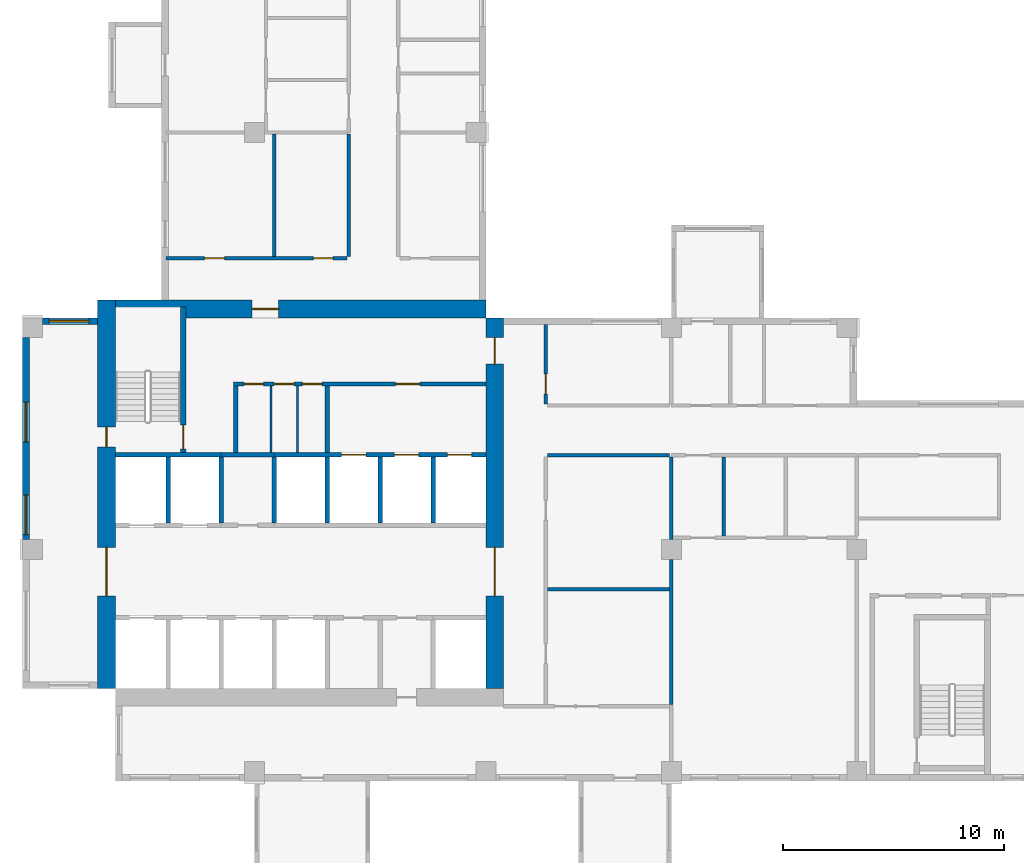
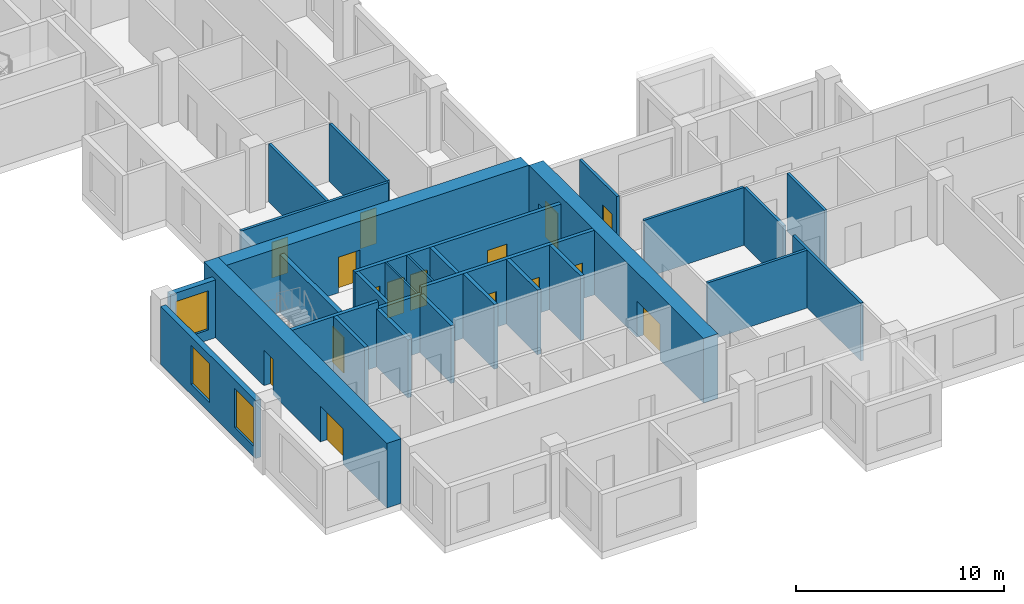
# One storey, part 3 of 12: 29 walls, 16 doors, 3 windows, 19 openings.
"""IFC4 building model written with IfcOpenShell, lengths in metres."""

from ifc_helpers import new_model, si_unit, direction, frame, frame_2d, origin, place, context, subcontext, project, spatial, rectangle, extrude, source, transform, mapped, material, layer, layer_set, type_object, element, fill, save


model = new_model("IFC4")

# Units and contexts
model_context = context("Model", 3, precision=1e-05, world=origin(), true_north=direction((0.0, 1.0)))
body_context = subcontext(model_context, "Body", "Model", "MODEL_VIEW")
ifc_project = project(units=[si_unit("LENGTHUNIT", "METRE"), si_unit("AREAUNIT", "SQUARE_METRE"), si_unit("VOLUMEUNIT", "CUBIC_METRE"), si_unit("PLANEANGLEUNIT", "RADIAN"), si_unit("MASSUNIT", "GRAM", prefix="KILO")], contexts=[model_context])

# Site, building, storey
site_placement = place(None, origin())
site = spatial("IfcSite", under=ifc_project, at=site_placement, CompositionType="ELEMENT")
building_placement = place(site_placement, origin())
building = spatial("IfcBuilding", under=site, at=building_placement, Name="Aurelian Terraces", CompositionType="ELEMENT")
storey_placement = place(building_placement, frame((0.0, 0.0, 196.8)))
storey = spatial("IfcBuildingStorey", under=building, at=storey_placement, Name="L43", CompositionType="ELEMENT", Elevation=196.8)

# Wall, openings, doors
ifc_material_1 = material(Name="Gypsum board on steel studs", Category="steel")
ifc_layer_1 = layer(ifc_material_1, 0.15)
ifc_layer_set_1 = layer_set([ifc_layer_1], Name="Partition 150")
wall_type_1 = type_object("IfcWallType", Name="Partition 150", PredefinedType="PARTITIONING", material=ifc_layer_set_1)
wall_1_placement = place(storey_placement, frame((6.505, 23.7, 0.0), z_axis=(0.0, 0.0, 1.0), x_axis=(1.0, 0.0, 0.0)))
wall_1 = element("IfcWall", 1, at=wall_1_placement, inside=storey, type_object=wall_type_1, Name="Partition", PredefinedType="PARTITIONING", context=body_context, shape_type="SweptSolid", body=[
    extrude(rectangle(XDim=8.195, YDim=0.15, at=frame_2d((4.0975, 0.0))), origin(), (0.0, 0.0, 1.0), 3.4),
])
shared_shape_1 = source(origin(), body_context, "Body", "SweptSolid", [
    extrude(rectangle(XDim=0.9, YDim=2.1, at=frame_2d((0.45, 1.05))), frame((0.0, 0.085, 0.0), z_axis=(0.0, -1.0, 0.0), x_axis=(1.0, 0.0, 0.0)), (0.0, 0.0, 1.0), 0.17),
])
opening_1_placement = place(wall_1_placement, frame((1.745, 0.0, 0.0)))
opening_1 = element("IfcOpeningElement", 2, at=opening_1_placement, cuts=wall_1, Name="Opening 743019", PredefinedType="OPENING", context=body_context, shape_type="MappedRepresentation", body=[
    mapped(shared_shape_1, transform((0.0, 0.0, 0.0), scale=1.0)),
])
opening_2_placement = place(wall_1_placement, frame((6.67, 0.0, 0.0)))
opening_2 = element("IfcOpeningElement", 3, at=opening_2_placement, cuts=wall_1, Name="Opening 743020", PredefinedType="OPENING", context=body_context, shape_type="MappedRepresentation", body=[
    mapped(shared_shape_1, transform((0.0, 0.0, 0.0), scale=1.0)),
])
ifc_material_2 = material(Name="Timber door leaf", Category="wood")
door_type_1 = type_object("IfcDoorType", Name="Room door 900x2100 right", OperationType="SINGLE_SWING_RIGHT", PredefinedType="DOOR", material=ifc_material_2)
shared_shape_2 = source(origin(), body_context, "Body", "SweptSolid", [
    extrude(rectangle(XDim=0.9, YDim=2.1, at=frame_2d((0.45, 1.05))), frame((0.0, 0.025, 0.0), z_axis=(0.0, -1.0, 0.0), x_axis=(1.0, 0.0, 0.0)), (0.0, 0.0, 1.0), 0.05),
])
door_1_placement = place(opening_1_placement, origin())
door_1 = element("IfcDoor", 4, at=door_1_placement, inside=storey, type_object=door_type_1, Name="Door 743019", OperationType="SINGLE_SWING_RIGHT", OverallHeight=2.1, OverallWidth=0.9, PredefinedType="DOOR", context=body_context, shape_type="MappedRepresentation", body=[
    mapped(shared_shape_2, transform((0.0, 0.0, 0.0), scale=1.0)),
])
fill(opening_1, door_1)
door_type_2 = type_object("IfcDoorType", Name="Room door 900x2100 left", OperationType="SINGLE_SWING_LEFT", PredefinedType="DOOR", material=ifc_material_2)
door_2_placement = place(opening_2_placement, origin())
door_2 = element("IfcDoor", 5, at=door_2_placement, inside=storey, type_object=door_type_2, Name="Door 743020", OperationType="SINGLE_SWING_LEFT", OverallHeight=2.1, OverallWidth=0.9, PredefinedType="DOOR", context=body_context, shape_type="MappedRepresentation", body=[
    mapped(shared_shape_2, transform((0.0, 0.0, 0.0), scale=1.0)),
])
fill(opening_2, door_2)

ifc_material_3 = material(Name="Concrete fc' 70 MPa", Category="concrete")
ifc_layer_2 = layer(ifc_material_3, 0.8)
ifc_layer_set_2 = layer_set([ifc_layer_2], Name="CORE WALL 800 FC70")
wall_type_2 = type_object("IfcWallType", Name="CORE WALL 800 FC70", PredefinedType="SHEAR", material=ifc_layer_set_2)
shared_shape_3 = source(origin(), body_context, "Body", "SweptSolid", [
    extrude(rectangle(XDim=17.6, YDim=0.8, at=frame_2d((8.8, 0.0))), origin(), (0.0, 0.0, 1.0), 3.8),
])
wall_2_placement = place(storey_placement, frame((3.8, 4.2, 0.0), z_axis=(0.0, 0.0, 1.0), x_axis=(0.0, 1.0, 0.0)))
wall_2 = element("IfcWall", 6, at=wall_2_placement, inside=storey, type_object=wall_type_2, Name="Core wall W L43", PredefinedType="SHEAR", context=body_context, shape_type="MappedRepresentation", body=[
    mapped(shared_shape_3, transform((0.0, 0.0, 0.0), scale=1.0)),
])
shared_shape_4 = source(origin(), body_context, "Body", "SweptSolid", [
    extrude(rectangle(XDim=2.2, YDim=2.1, at=frame_2d((1.1, 1.05))), frame((0.0, 0.41, 0.0), z_axis=(0.0, -1.0, 0.0), x_axis=(1.0, 0.0, 0.0)), (0.0, 0.0, 1.0), 0.82),
])
opening_3_placement = place(wall_2_placement, frame((4.2, 0.0, 0.0)))
opening_3 = element("IfcOpeningElement", 7, at=opening_3_placement, cuts=wall_2, Name="Opening 64624", PredefinedType="OPENING", context=body_context, shape_type="MappedRepresentation", body=[
    mapped(shared_shape_4, transform((0.0, 0.0, 0.0), scale=1.0)),
])
shared_shape_5 = source(origin(), body_context, "Body", "SweptSolid", [
    extrude(rectangle(XDim=0.9, YDim=2.1, at=frame_2d((0.45, 1.05))), frame((0.0, 0.41, 0.0), z_axis=(0.0, -1.0, 0.0), x_axis=(1.0, 0.0, 0.0)), (0.0, 0.0, 1.0), 0.82),
])
opening_4_placement = place(wall_2_placement, frame((10.95, 0.0, 0.0)))
opening_4 = element("IfcOpeningElement", 8, at=opening_4_placement, cuts=wall_2, Name="Opening 64628", PredefinedType="OPENING", context=body_context, shape_type="MappedRepresentation", body=[
    mapped(shared_shape_5, transform((0.0, 0.0, 0.0), scale=1.0)),
])
ifc_material_4 = material(Name="Steel door leaf", Category="steel")
door_type_3 = type_object("IfcDoorType", Name="Core service door 900x2100 right", OperationType="SINGLE_SWING_RIGHT", PredefinedType="DOOR", material=ifc_material_4)
door_3_placement = place(opening_4_placement, origin())
door_3 = element("IfcDoor", 9, at=door_3_placement, inside=storey, type_object=door_type_3, Name="Core door 64628", OperationType="SINGLE_SWING_RIGHT", OverallHeight=2.1, OverallWidth=0.9, PredefinedType="DOOR", context=body_context, shape_type="MappedRepresentation", body=[
    mapped(shared_shape_2, transform((0.0, 0.0, 0.0), scale=1.0)),
])
fill(opening_4, door_3)
door_type_4 = type_object("IfcDoorType", Name="Core double door 2200x2100", OperationType="DOUBLE_DOOR_SINGLE_SWING", PredefinedType="DOOR", material=ifc_material_4)
shared_shape_6 = source(origin(), body_context, "Body", "SweptSolid", [
    extrude(rectangle(XDim=2.2, YDim=2.1, at=frame_2d((1.1, 1.05))), frame((0.0, 0.025, 0.0), z_axis=(0.0, -1.0, 0.0), x_axis=(1.0, 0.0, 0.0)), (0.0, 0.0, 1.0), 0.05),
])
door_4_placement = place(opening_3_placement, origin())
door_4 = element("IfcDoor", 10, at=door_4_placement, inside=storey, type_object=door_type_4, Name="Core door 64624", OperationType="DOUBLE_DOOR_SINGLE_SWING", OverallHeight=2.1, OverallWidth=2.2, PredefinedType="DOOR", context=body_context, shape_type="MappedRepresentation", body=[
    mapped(shared_shape_6, transform((0.0, 0.0, 0.0), scale=1.0)),
])
fill(opening_3, door_4)

shared_shape_7 = source(origin(), body_context, "Body", "SweptSolid", [
    extrude(rectangle(XDim=16.8, YDim=0.8, at=frame_2d((8.4, 0.0))), origin(), (0.0, 0.0, 1.0), 3.8),
])
wall_3_placement = place(storey_placement, frame((21.4, 4.2, 0.0), z_axis=(0.0, 0.0, 1.0), x_axis=(0.0, 1.0, 0.0)))
wall_3 = element("IfcWall", 11, at=wall_3_placement, inside=storey, type_object=wall_type_2, Name="Core wall E L43", PredefinedType="SHEAR", context=body_context, shape_type="MappedRepresentation", body=[
    mapped(shared_shape_7, transform((0.0, 0.0, 0.0), scale=1.0)),
])
opening_5_placement = place(wall_3_placement, frame((4.2, 0.0, 0.0)))
opening_5 = element("IfcOpeningElement", 12, at=opening_5_placement, cuts=wall_3, Name="Opening 64623", PredefinedType="OPENING", context=body_context, shape_type="MappedRepresentation", body=[
    mapped(shared_shape_4, transform((0.0, 0.0, 0.0), scale=1.0)),
])
shared_shape_8 = source(origin(), body_context, "Body", "SweptSolid", [
    extrude(rectangle(XDim=1.2, YDim=2.1, at=frame_2d((0.6, 1.05))), frame((0.0, 0.41, 0.0), z_axis=(0.0, -1.0, 0.0), x_axis=(1.0, 0.0, 0.0)), (0.0, 0.0, 1.0), 0.82),
])
opening_6_placement = place(wall_3_placement, frame((14.7, 0.0, 0.0)))
opening_6 = element("IfcOpeningElement", 13, at=opening_6_placement, cuts=wall_3, Name="Opening 64626", PredefinedType="OPENING", context=body_context, shape_type="MappedRepresentation", body=[
    mapped(shared_shape_8, transform((0.0, 0.0, 0.0), scale=1.0)),
])
door_type_5 = type_object("IfcDoorType", Name="Core fire door 1200x2100 right", OperationType="SINGLE_SWING_RIGHT", PredefinedType="DOOR", material=ifc_material_4)
shared_shape_9 = source(origin(), body_context, "Body", "SweptSolid", [
    extrude(rectangle(XDim=1.2, YDim=2.1, at=frame_2d((0.6, 1.05))), frame((0.0, 0.025, 0.0), z_axis=(0.0, -1.0, 0.0), x_axis=(1.0, 0.0, 0.0)), (0.0, 0.0, 1.0), 0.05),
])
door_5_placement = place(opening_6_placement, origin())
door_5 = element("IfcDoor", 14, at=door_5_placement, inside=storey, type_object=door_type_5, Name="Core door 64626", OperationType="SINGLE_SWING_RIGHT", OverallHeight=2.1, OverallWidth=1.2, PredefinedType="DOOR", context=body_context, shape_type="MappedRepresentation", body=[
    mapped(shared_shape_9, transform((0.0, 0.0, 0.0), scale=1.0)),
])
fill(opening_6, door_5)
door_6_placement = place(opening_5_placement, origin())
door_6 = element("IfcDoor", 15, at=door_6_placement, inside=storey, type_object=door_type_4, Name="Core door 64623", OperationType="DOUBLE_DOOR_SINGLE_SWING", OverallHeight=2.1, OverallWidth=2.2, PredefinedType="DOOR", context=body_context, shape_type="MappedRepresentation", body=[
    mapped(shared_shape_6, transform((0.0, 0.0, 0.0), scale=1.0)),
])
fill(opening_5, door_6)

# Wall, opening, door
wall_4_placement = place(storey_placement, frame((4.2, 21.4, 0.0), z_axis=(0.0, 0.0, 1.0), x_axis=(1.0, 0.0, 0.0)))
wall_4 = element("IfcWall", 16, at=wall_4_placement, inside=storey, type_object=wall_type_2, Name="Core wall N L43", PredefinedType="SHEAR", context=body_context, shape_type="MappedRepresentation", body=[
    mapped(shared_shape_7, transform((0.0, 0.0, 0.0), scale=1.0)),
])
opening_7_placement = place(wall_4_placement, frame((6.2, 0.0, 0.0)))
opening_7 = element("IfcOpeningElement", 17, at=opening_7_placement, cuts=wall_4, Name="Opening 64625", PredefinedType="OPENING", context=body_context, shape_type="MappedRepresentation", body=[
    mapped(shared_shape_8, transform((0.0, 0.0, 0.0), scale=1.0)),
])
door_type_6 = type_object("IfcDoorType", Name="Core fire door 1200x2100", OperationType="SINGLE_SWING_LEFT", PredefinedType="DOOR", material=ifc_material_4)
door_7_placement = place(opening_7_placement, origin())
door_7 = element("IfcDoor", 18, at=door_7_placement, inside=storey, type_object=door_type_6, Name="Core door 64625", OperationType="SINGLE_SWING_LEFT", OverallHeight=2.1, OverallWidth=1.2, PredefinedType="DOOR", context=body_context, shape_type="MappedRepresentation", body=[
    mapped(shared_shape_9, transform((0.0, 0.0, 0.0), scale=1.0)),
])
fill(opening_7, door_7)

# Wall, opening, window
ifc_material_5 = material(Name="Terracotta rainscreen cladding", Category="masonry")
ifc_layer_3 = layer(ifc_material_5, 0.3)
ifc_layer_set_3 = layer_set([ifc_layer_3], Name="EW-300")
wall_type_3 = type_object("IfcWallType", Name="EW-300", PredefinedType="STANDARD", material=ifc_layer_set_3)
shared_shape_10 = source(origin(), body_context, "Body", "SweptSolid", [
    extrude(rectangle(XDim=2.5, YDim=0.3, at=frame_2d((1.25, 0.0))), origin(), (0.0, 0.0, 1.0), 3.4),
])
wall_5_placement = place(storey_placement, frame((3.4, 20.85, 0.0), z_axis=(0.0, 0.0, 1.0), x_axis=(-1.0, 0.0, 0.0)))
wall_5 = element("IfcWall", 19, at=wall_5_placement, inside=storey, type_object=wall_type_3, Name="External wall L43 F19.33", PredefinedType="STANDARD", context=body_context, shape_type="MappedRepresentation", body=[
    mapped(shared_shape_10, transform((0.0, 0.0, 0.0), scale=1.0)),
])
shared_shape_11 = source(origin(), body_context, "Body", "SweptSolid", [
    extrude(rectangle(XDim=1.8, YDim=2.3, at=frame_2d((0.9, 1.15))), frame((0.0, 0.16, 0.0), z_axis=(0.0, -1.0, 0.0), x_axis=(1.0, 0.0, 0.0)), (0.0, 0.0, 1.0), 0.32),
])
opening_8_placement = place(wall_5_placement, frame((0.4, 0.0, 0.6)))
opening_8 = element("IfcOpeningElement", 20, at=opening_8_placement, cuts=wall_5, Name="Opening W1823", PredefinedType="OPENING", context=body_context, shape_type="MappedRepresentation", body=[
    mapped(shared_shape_11, transform((0.0, 0.0, 0.0), scale=1.0)),
])
ifc_material_6 = material(Name="Clear glazing", Category="glass")
window_type = type_object("IfcWindowType", Name="W-1800x2300", PartitioningType="SINGLE_PANEL", PredefinedType="WINDOW", material=ifc_material_6)
shared_shape_12 = source(origin(), body_context, "Body", "SweptSolid", [
    extrude(rectangle(XDim=1.8, YDim=2.3, at=frame_2d((0.9, 1.15))), frame((0.0, 0.03, 0.0), z_axis=(0.0, -1.0, 0.0), x_axis=(1.0, 0.0, 0.0)), (0.0, 0.0, 1.0), 0.06),
])
window_1_placement = place(opening_8_placement, origin())
window_1 = element("IfcWindow", 21, at=window_1_placement, inside=storey, type_object=window_type, Name="Window L43 L43-F19-33-0", OverallHeight=2.3, OverallWidth=1.8, PartitioningType="SINGLE_PANEL", PredefinedType="WINDOW", context=body_context, shape_type="MappedRepresentation", body=[
    mapped(shared_shape_12, transform((0.0, 0.0, 0.0), scale=1.0)),
])
fill(opening_8, window_1)

# Wall, openings, windows
shared_shape_13 = source(origin(), body_context, "Body", "SweptSolid", [
    extrude(rectangle(XDim=9.15, YDim=0.3, at=frame_2d((4.575, 0.0))), origin(), (0.0, 0.0, 1.0), 3.4),
])
wall_6_placement = place(storey_placement, frame((0.15, 20.1, 0.0), z_axis=(0.0, 0.0, 1.0), x_axis=(0.0, -1.0, 0.0)))
wall_6 = element("IfcWall", 22, at=wall_6_placement, inside=storey, type_object=wall_type_3, Name="External wall L43 F20.34", PredefinedType="STANDARD", context=body_context, shape_type="MappedRepresentation", body=[
    mapped(shared_shape_13, transform((0.0, 0.0, 0.0), scale=1.0)),
])
opening_9_placement = place(wall_6_placement, frame((2.925, 0.0, 0.6)))
opening_9 = element("IfcOpeningElement", 23, at=opening_9_placement, cuts=wall_6, Name="Opening W1823", PredefinedType="OPENING", context=body_context, shape_type="MappedRepresentation", body=[
    mapped(shared_shape_11, transform((0.0, 0.0, 0.0), scale=1.0)),
])
opening_10_placement = place(wall_6_placement, frame((7.125, 0.0, 0.6)))
opening_10 = element("IfcOpeningElement", 24, at=opening_10_placement, cuts=wall_6, Name="Opening W1823", PredefinedType="OPENING", context=body_context, shape_type="MappedRepresentation", body=[
    mapped(shared_shape_11, transform((0.0, 0.0, 0.0), scale=1.0)),
])
window_2_placement = place(opening_9_placement, origin())
window_2 = element("IfcWindow", 25, at=window_2_placement, inside=storey, type_object=window_type, Name="Window L43 L43-F20-34-1", OverallHeight=2.3, OverallWidth=1.8, PartitioningType="SINGLE_PANEL", PredefinedType="WINDOW", context=body_context, shape_type="MappedRepresentation", body=[
    mapped(shared_shape_12, transform((0.0, 0.0, 0.0), scale=1.0)),
])
fill(opening_9, window_2)
window_3_placement = place(opening_10_placement, origin())
window_3 = element("IfcWindow", 26, at=window_3_placement, inside=storey, type_object=window_type, Name="Window L43 L43-F20-34-2", OverallHeight=2.3, OverallWidth=1.8, PartitioningType="SINGLE_PANEL", PredefinedType="WINDOW", context=body_context, shape_type="MappedRepresentation", body=[
    mapped(shared_shape_12, transform((0.0, 0.0, 0.0), scale=1.0)),
])
fill(opening_10, window_3)

# Walls
ifc_material_7 = material(Name="Concrete fc' 40 MPa", Category="concrete")
ifc_layer_4 = layer(ifc_material_7, 0.2)
ifc_layer_set_4 = layer_set([ifc_layer_4], Name="Lift shaft wall 200")
wall_type_4 = type_object("IfcWallType", Name="Lift shaft wall 200", PredefinedType="SOLIDWALL", material=ifc_layer_set_4)
shared_shape_14 = source(origin(), body_context, "Body", "SweptSolid", [
    extrude(rectangle(XDim=3.0, YDim=0.2, at=frame_2d((1.5, 0.0))), origin(), (0.0, 0.0, 1.0), 3.4),
])
for number, where, z_axis, x_axis, name in (
    (27, (9.0, 11.7, 0.0), (0.0, 0.0, 1.0), (0.0, 1.0, 0.0), "L43 core wall CD-B2"),
    (28, (11.4, 11.7, 0.0), (0.0, 0.0, 1.0), (0.0, 1.0, 0.0), "L43 core wall CD-B3"),
):
    element("IfcWall", number, at=place(storey_placement, frame(where, z_axis=z_axis, x_axis=x_axis)), inside=storey, type_object=wall_type_4, Name=name, PredefinedType="SOLIDWALL", context=body_context, shape_type="MappedRepresentation", body=[
        mapped(shared_shape_14, transform((0.0, 0.0, 0.0), scale=1.0)),
    ])
shared_shape_15 = source(origin(), body_context, "Body", "SweptSolid", [
    extrude(rectangle(XDim=3.0, YDim=0.2, at=frame_2d((1.5, 0.0))), origin(), (0.0, 0.0, 1.0), 3.8),
])
for number, where, z_axis, x_axis, name in (
    (29, (6.6, 11.7, 0.0), (0.0, 0.0, 1.0), (0.0, 1.0, 0.0), "L43 core wall CD-B1"),
    (30, (13.8, 11.7, 0.0), (0.0, 0.0, 1.0), (0.0, 1.0, 0.0), "L43 core wall CD-B4"),
    (31, (16.2, 11.7, 0.0), (0.0, 0.0, 1.0), (0.0, 1.0, 0.0), "L43 core wall CD-B5"),
    (32, (18.6, 11.7, 0.0), (0.0, 0.0, 1.0), (0.0, 1.0, 0.0), "L43 core wall CD-B6"),
):
    element("IfcWall", number, at=place(storey_placement, frame(where, z_axis=z_axis, x_axis=x_axis)), inside=storey, type_object=wall_type_4, Name=name, PredefinedType="SOLIDWALL", context=body_context, shape_type="MappedRepresentation", body=[
        mapped(shared_shape_15, transform((0.0, 0.0, 0.0), scale=1.0)),
    ])

# Wall, openings, doors
shared_shape_16 = source(origin(), body_context, "Body", "SweptSolid", [
    extrude(rectangle(XDim=9.6, YDim=0.2, at=frame_2d((4.8, 0.0))), origin(), (0.0, 0.0, 1.0), 3.8),
])
wall_7_placement = place(storey_placement, frame((11.4, 14.8, 0.0), z_axis=(0.0, 0.0, 1.0), x_axis=(1.0, 0.0, 0.0)))
wall_7 = element("IfcWall", 33, at=wall_7_placement, inside=storey, type_object=wall_type_4, Name="L43 core wall CF-BB3", PredefinedType="SOLIDWALL", context=body_context, shape_type="MappedRepresentation", body=[
    mapped(shared_shape_16, transform((0.0, 0.0, 0.0), scale=1.0)),
])
shared_shape_17 = source(origin(), body_context, "Body", "SweptSolid", [
    extrude(rectangle(XDim=1.1, YDim=2.1, at=frame_2d((0.55, 1.05))), frame((0.0, 0.11, 0.0), z_axis=(0.0, -1.0, 0.0), x_axis=(1.0, 0.0, 0.0)), (0.0, 0.0, 1.0), 0.22),
])
opening_11_placement = place(wall_7_placement, frame((3.05, 0.0, 0.0)))
opening_11 = element("IfcOpeningElement", 34, at=opening_11_placement, cuts=wall_7, Name="Opening 64609", PredefinedType="OPENING", context=body_context, shape_type="MappedRepresentation", body=[
    mapped(shared_shape_17, transform((0.0, 0.0, 0.0), scale=1.0)),
])
opening_12_placement = place(wall_7_placement, frame((5.45, 0.0, 0.0)))
opening_12 = element("IfcOpeningElement", 35, at=opening_12_placement, cuts=wall_7, Name="Opening 64610", PredefinedType="OPENING", context=body_context, shape_type="MappedRepresentation", body=[
    mapped(shared_shape_17, transform((0.0, 0.0, 0.0), scale=1.0)),
])
opening_13_placement = place(wall_7_placement, frame((7.85, 0.0, 0.0)))
opening_13 = element("IfcOpeningElement", 36, at=opening_13_placement, cuts=wall_7, Name="Opening 64611", PredefinedType="OPENING", context=body_context, shape_type="MappedRepresentation", body=[
    mapped(shared_shape_17, transform((0.0, 0.0, 0.0), scale=1.0)),
])
ifc_material_8 = material(Name="Stainless steel", Category="steel")
door_type_7 = type_object("IfcDoorType", Name="Lift landing door 1100x2100", OperationType="SLIDING_TO_LEFT", PredefinedType="DOOR", material=ifc_material_8)
shared_shape_18 = source(origin(), body_context, "Body", "SweptSolid", [
    extrude(rectangle(XDim=1.1, YDim=2.1, at=frame_2d((0.55, 1.05))), frame((0.0, 0.025, 0.0), z_axis=(0.0, -1.0, 0.0), x_axis=(1.0, 0.0, 0.0)), (0.0, 0.0, 1.0), 0.05),
])
door_8_placement = place(opening_11_placement, origin())
door_8 = element("IfcDoor", 37, at=door_8_placement, inside=storey, type_object=door_type_7, Name="Lift landing door F1 L43", OperationType="SLIDING_TO_LEFT", OverallHeight=2.1, OverallWidth=1.1, PredefinedType="DOOR", context=body_context, shape_type="MappedRepresentation", body=[
    mapped(shared_shape_18, transform((0.0, 0.0, 0.0), scale=1.0)),
])
fill(opening_11, door_8)
door_9_placement = place(opening_12_placement, origin())
door_9 = element("IfcDoor", 38, at=door_9_placement, inside=storey, type_object=door_type_7, Name="Lift landing door F2 L43", OperationType="SLIDING_TO_LEFT", OverallHeight=2.1, OverallWidth=1.1, PredefinedType="DOOR", context=body_context, shape_type="MappedRepresentation", body=[
    mapped(shared_shape_18, transform((0.0, 0.0, 0.0), scale=1.0)),
])
fill(opening_12, door_9)
door_10_placement = place(opening_13_placement, origin())
door_10 = element("IfcDoor", 39, at=door_10_placement, inside=storey, type_object=door_type_7, Name="Lift landing door F3 L43", OperationType="SLIDING_TO_LEFT", OverallHeight=2.1, OverallWidth=1.1, PredefinedType="DOOR", context=body_context, shape_type="MappedRepresentation", body=[
    mapped(shared_shape_18, transform((0.0, 0.0, 0.0), scale=1.0)),
])
fill(opening_13, door_10)

# Walls
shared_shape_19 = source(origin(), body_context, "Body", "SweptSolid", [
    extrude(rectangle(XDim=4.8, YDim=0.2, at=frame_2d((2.4, 0.0))), origin(), (0.0, 0.0, 1.0), 3.8),
])
wall_8_placement = place(storey_placement, frame((4.2, 14.8, 0.0), z_axis=(0.0, 0.0, 1.0), x_axis=(1.0, 0.0, 0.0)))
element("IfcWall", 40, at=wall_8_placement, inside=storey, type_object=wall_type_4, Name="L43 core wall CF-BB1", PredefinedType="SOLIDWALL", context=body_context, shape_type="MappedRepresentation", body=[
    mapped(shared_shape_19, transform((0.0, 0.0, 0.0), scale=1.0)),
])
shared_shape_20 = source(origin(), body_context, "Body", "SweptSolid", [
    extrude(rectangle(XDim=2.4, YDim=0.2, at=frame_2d((1.2, 0.0))), origin(), (0.0, 0.0, 1.0), 3.4),
])
wall_9_placement = place(storey_placement, frame((9.0, 14.8, 0.0), z_axis=(0.0, 0.0, 1.0), x_axis=(1.0, 0.0, 0.0)))
element("IfcWall", 41, at=wall_9_placement, inside=storey, type_object=wall_type_4, Name="L43 core wall CF-BB2", PredefinedType="SOLIDWALL", context=body_context, shape_type="MappedRepresentation", body=[
    mapped(shared_shape_20, transform((0.0, 0.0, 0.0), scale=1.0)),
])
ifc_layer_5 = layer(ifc_material_1, 0.2)
ifc_layer_set_5 = layer_set([ifc_layer_5], Name="Core partition 200")
wall_type_5 = type_object("IfcWallType", Name="Core partition 200", PredefinedType="PARTITIONING", material=ifc_layer_set_5)
shared_shape_21 = source(origin(), body_context, "Body", "SweptSolid", [
    extrude(rectangle(XDim=3.0, YDim=0.2, at=frame_2d((1.5, 0.0))), origin(), (0.0, 0.0, 1.0), 3.4),
])
for number, where, z_axis, x_axis, name in (
    (42, (9.65, 14.9, 0.0), (0.0, 0.0, 1.0), (0.0, 1.0, 0.0), "L43 core wall CP-VEST"),
    (43, (13.8, 14.9, 0.0), (0.0, 0.0, 1.0), (0.0, 1.0, 0.0), "L43 core wall CP-FFL"),
):
    element("IfcWall", number, at=place(storey_placement, frame(where, z_axis=z_axis, x_axis=x_axis)), inside=storey, type_object=wall_type_5, Name=name, PredefinedType="PARTITIONING", context=body_context, shape_type="MappedRepresentation", body=[
        mapped(shared_shape_21, transform((0.0, 0.0, 0.0), scale=1.0)),
    ])
ifc_layer_6 = layer(ifc_material_1, 0.1)
ifc_layer_set_6 = layer_set([ifc_layer_6], Name="Core partition 100")
wall_type_6 = type_object("IfcWallType", Name="Core partition 100", PredefinedType="PARTITIONING", material=ifc_layer_set_6)
shared_shape_22 = source(origin(), body_context, "Body", "SweptSolid", [
    extrude(rectangle(XDim=3.0, YDim=0.1, at=frame_2d((1.5, 0.0))), origin(), (0.0, 0.0, 1.0), 3.4),
])
for number, where, z_axis, x_axis, name in (
    (44, (11.25, 14.9, 0.0), (0.0, 0.0, 1.0), (0.0, 1.0, 0.0), "L43 core wall CP-SV1"),
    (45, (12.45, 14.9, 0.0), (0.0, 0.0, 1.0), (0.0, 1.0, 0.0), "L43 core wall CP-SV2"),
):
    element("IfcWall", number, at=place(storey_placement, frame(where, z_axis=z_axis, x_axis=x_axis)), inside=storey, type_object=wall_type_6, Name=name, PredefinedType="PARTITIONING", context=body_context, shape_type="MappedRepresentation", body=[
        mapped(shared_shape_22, transform((0.0, 0.0, 0.0), scale=1.0)),
    ])

# Wall, opening, door
ifc_layer_7 = layer(ifc_material_7, 0.25)
ifc_layer_set_7 = layer_set([ifc_layer_7], Name="Stair enclosure wall 250")
wall_type_7 = type_object("IfcWallType", Name="Stair enclosure wall 250", PredefinedType="SOLIDWALL", material=ifc_layer_set_7)
shared_shape_23 = source(origin(), body_context, "Body", "SweptSolid", [
    extrude(rectangle(XDim=6.6, YDim=0.25, at=frame_2d((3.3, 0.0))), origin(), (0.0, 0.0, 1.0), 3.4),
])
wall_10_placement = place(storey_placement, frame((7.275, 14.9, 0.0), z_axis=(0.0, 0.0, 1.0), x_axis=(0.0, 1.0, 0.0)))
wall_10 = element("IfcWall", 46, at=wall_10_placement, inside=storey, type_object=wall_type_7, Name="L43 core wall ST-S1-E", PredefinedType="SOLIDWALL", context=body_context, shape_type="MappedRepresentation", body=[
    mapped(shared_shape_23, transform((0.0, 0.0, 0.0), scale=1.0)),
])
shared_shape_24 = source(origin(), body_context, "Body", "SweptSolid", [
    extrude(rectangle(XDim=1.1, YDim=2.1, at=frame_2d((0.55, 1.05))), frame((0.0, 0.135, 0.0), z_axis=(0.0, -1.0, 0.0), x_axis=(1.0, 0.0, 0.0)), (0.0, 0.0, 1.0), 0.27),
])
opening_14_placement = place(wall_10_placement, frame((0.15, 0.0, 0.0)))
opening_14 = element("IfcOpeningElement", 47, at=opening_14_placement, cuts=wall_10, Name="Opening 64612", PredefinedType="OPENING", context=body_context, shape_type="MappedRepresentation", body=[
    mapped(shared_shape_24, transform((0.0, 0.0, 0.0), scale=1.0)),
])
door_type_8 = type_object("IfcDoorType", Name="Core fire door 1100x2100", OperationType="SINGLE_SWING_LEFT", PredefinedType="DOOR", material=ifc_material_4)
door_11_placement = place(opening_14_placement, origin())
door_11 = element("IfcDoor", 48, at=door_11_placement, inside=storey, type_object=door_type_8, Name="Stair door 64612", OperationType="SINGLE_SWING_LEFT", OverallHeight=2.1, OverallWidth=1.1, PredefinedType="DOOR", context=body_context, shape_type="MappedRepresentation", body=[
    mapped(shared_shape_18, transform((0.0, 0.0, 0.0), scale=1.0)),
])
fill(opening_14, door_11)

# Wall, openings, doors
shared_shape_25 = source(origin(), body_context, "Body", "SweptSolid", [
    extrude(rectangle(XDim=11.45, YDim=0.2, at=frame_2d((5.725, 0.0))), origin(), (0.0, 0.0, 1.0), 3.4),
])
wall_11_placement = place(storey_placement, frame((9.55, 18.0, 0.0), z_axis=(0.0, 0.0, 1.0), x_axis=(1.0, 0.0, 0.0)))
wall_11 = element("IfcWall", 49, at=wall_11_placement, inside=storey, type_object=wall_type_5, Name="L43 core wall CP-NORTH", PredefinedType="PARTITIONING", context=body_context, shape_type="MappedRepresentation", body=[
    mapped(shared_shape_25, transform((0.0, 0.0, 0.0), scale=1.0)),
])
shared_shape_26 = source(origin(), body_context, "Body", "SweptSolid", [
    extrude(rectangle(XDim=0.9, YDim=2.1, at=frame_2d((0.45, 1.05))), frame((0.0, 0.11, 0.0), z_axis=(0.0, -1.0, 0.0), x_axis=(1.0, 0.0, 0.0)), (0.0, 0.0, 1.0), 0.22),
])
opening_15_placement = place(wall_11_placement, frame((0.475, 0.0, 0.0)))
opening_15 = element("IfcOpeningElement", 50, at=opening_15_placement, cuts=wall_11, Name="Opening 64613", PredefinedType="OPENING", context=body_context, shape_type="MappedRepresentation", body=[
    mapped(shared_shape_26, transform((0.0, 0.0, 0.0), scale=1.0)),
])
opening_16_placement = place(wall_11_placement, frame((1.85, 0.0, 0.0)))
opening_16 = element("IfcOpeningElement", 51, at=opening_16_placement, cuts=wall_11, Name="Opening 64614", PredefinedType="OPENING", context=body_context, shape_type="MappedRepresentation", body=[
    mapped(shared_shape_26, transform((0.0, 0.0, 0.0), scale=1.0)),
])
opening_17_placement = place(wall_11_placement, frame((3.125, 0.0, 0.0)))
opening_17 = element("IfcOpeningElement", 52, at=opening_17_placement, cuts=wall_11, Name="Opening 64615", PredefinedType="OPENING", context=body_context, shape_type="MappedRepresentation", body=[
    mapped(shared_shape_26, transform((0.0, 0.0, 0.0), scale=1.0)),
])
opening_18_placement = place(wall_11_placement, frame((7.35, 0.0, 0.0)))
opening_18 = element("IfcOpeningElement", 53, at=opening_18_placement, cuts=wall_11, Name="Opening 64616", PredefinedType="OPENING", context=body_context, shape_type="MappedRepresentation", body=[
    mapped(shared_shape_17, transform((0.0, 0.0, 0.0), scale=1.0)),
])
door_12_placement = place(opening_15_placement, origin())
door_12 = element("IfcDoor", 54, at=door_12_placement, inside=storey, type_object=door_type_3, Name="Room door 64613", OperationType="SINGLE_SWING_RIGHT", OverallHeight=2.1, OverallWidth=0.9, PredefinedType="DOOR", context=body_context, shape_type="MappedRepresentation", body=[
    mapped(shared_shape_2, transform((0.0, 0.0, 0.0), scale=1.0)),
])
fill(opening_15, door_12)
door_type_9 = type_object("IfcDoorType", Name="Core riser door 900x2100", OperationType="SINGLE_SWING_LEFT", PredefinedType="DOOR", material=ifc_material_4)
door_13_placement = place(opening_16_placement, origin())
door_13 = element("IfcDoor", 55, at=door_13_placement, inside=storey, type_object=door_type_9, Name="Room door 64614", OperationType="SINGLE_SWING_LEFT", OverallHeight=2.1, OverallWidth=0.9, PredefinedType="DOOR", context=body_context, shape_type="MappedRepresentation", body=[
    mapped(shared_shape_2, transform((0.0, 0.0, 0.0), scale=1.0)),
])
fill(opening_16, door_13)
door_14_placement = place(opening_17_placement, origin())
door_14 = element("IfcDoor", 56, at=door_14_placement, inside=storey, type_object=door_type_3, Name="Room door 64615", OperationType="SINGLE_SWING_RIGHT", OverallHeight=2.1, OverallWidth=0.9, PredefinedType="DOOR", context=body_context, shape_type="MappedRepresentation", body=[
    mapped(shared_shape_2, transform((0.0, 0.0, 0.0), scale=1.0)),
])
fill(opening_17, door_14)
door_15_placement = place(opening_18_placement, origin())
door_15 = element("IfcDoor", 57, at=door_15_placement, inside=storey, type_object=door_type_8, Name="Ff lobby door 64616", OperationType="SINGLE_SWING_LEFT", OverallHeight=2.1, OverallWidth=1.1, PredefinedType="DOOR", context=body_context, shape_type="MappedRepresentation", body=[
    mapped(shared_shape_18, transform((0.0, 0.0, 0.0), scale=1.0)),
])
fill(opening_18, door_15)

# Walls
shared_shape_27 = source(origin(), body_context, "Body", "SweptSolid", [
    extrude(rectangle(XDim=5.55, YDim=0.15, at=frame_2d((2.775, 0.0))), origin(), (0.0, 0.0, 1.0), 3.4),
])
wall_12_placement = place(storey_placement, frame((29.325, 8.7, 0.0), z_axis=(0.0, 0.0, 1.0), x_axis=(-1.0, 0.0, 0.0)))
element("IfcWall", 58, at=wall_12_placement, inside=storey, type_object=wall_type_1, Name="Partition", PredefinedType="PARTITIONING", context=body_context, shape_type="MappedRepresentation", body=[
    mapped(shared_shape_27, transform((0.0, 0.0, 0.0), scale=1.0)),
])
ifc_layer_8 = layer(ifc_material_1, 0.15)
ifc_layer_set_8 = layer_set([ifc_layer_8], Name="Fire partition 150")
wall_type_8 = type_object("IfcWallType", Name="Fire partition 150", PredefinedType="PARTITIONING", material=ifc_layer_set_8)
wall_13_placement = place(storey_placement, frame((29.325, 14.775, 0.0), z_axis=(0.0, 0.0, 1.0), x_axis=(-1.0, 0.0, 0.0)))
element("IfcWall", 59, at=wall_13_placement, inside=storey, type_object=wall_type_8, Name="Corridor wall", PredefinedType="PARTITIONING", context=body_context, shape_type="MappedRepresentation", body=[
    mapped(shared_shape_27, transform((0.0, 0.0, 0.0), scale=1.0)),
])
wall_14_placement = place(storey_placement, frame((11.4, 23.775, 0.0), z_axis=(0.0, 0.0, 1.0), x_axis=(0.0, 1.0, 0.0)))
element("IfcWall", 60, at=wall_14_placement, inside=storey, type_object=wall_type_1, Name="Partition", PredefinedType="PARTITIONING", context=body_context, shape_type="MappedRepresentation", body=[
    mapped(shared_shape_27, transform((0.0, 0.0, 0.0), scale=1.0)),
])
wall_15_placement = place(storey_placement, frame((14.775, 23.775, 0.0), z_axis=(0.0, 0.0, 1.0), x_axis=(0.0, 1.0, 0.0)))
element("IfcWall", 61, at=wall_15_placement, inside=storey, type_object=wall_type_8, Name="Corridor wall", PredefinedType="PARTITIONING", context=body_context, shape_type="MappedRepresentation", body=[
    mapped(shared_shape_27, transform((0.0, 0.0, 0.0), scale=1.0)),
])

# Wall, opening, door
shared_shape_28 = source(origin(), body_context, "Body", "SweptSolid", [
    extrude(rectangle(XDim=3.6, YDim=0.15, at=frame_2d((1.8, 0.0))), origin(), (0.0, 0.0, 1.0), 3.4),
])
wall_16_placement = place(storey_placement, frame((23.7, 20.7, 0.0), z_axis=(0.0, 0.0, 1.0), x_axis=(0.0, -1.0, 0.0)))
wall_16 = element("IfcWall", 62, at=wall_16_placement, inside=storey, type_object=wall_type_1, Name="Partition", PredefinedType="PARTITIONING", context=body_context, shape_type="MappedRepresentation", body=[
    mapped(shared_shape_28, transform((0.0, 0.0, 0.0), scale=1.0)),
])
opening_19_placement = place(wall_16_placement, frame((2.25, 0.0, 0.0)))
opening_19 = element("IfcOpeningElement", 63, at=opening_19_placement, cuts=wall_16, Name="Opening 743003", PredefinedType="OPENING", context=body_context, shape_type="MappedRepresentation", body=[
    mapped(shared_shape_1, transform((0.0, 0.0, 0.0), scale=1.0)),
])
door_16_placement = place(opening_19_placement, origin())
door_16 = element("IfcDoor", 64, at=door_16_placement, inside=storey, type_object=door_type_1, Name="Door 743003", OperationType="SINGLE_SWING_RIGHT", OverallHeight=2.1, OverallWidth=0.9, PredefinedType="DOOR", context=body_context, shape_type="MappedRepresentation", body=[
    mapped(shared_shape_2, transform((0.0, 0.0, 0.0), scale=1.0)),
])
fill(opening_19, door_16)

# Walls
wall_17_placement = place(storey_placement, frame((31.7771, 11.1, 0.0), z_axis=(0.0, 0.0, 1.0), x_axis=(0.0, 1.0, 0.0)))
element("IfcWall", 65, at=wall_17_placement, inside=storey, type_object=wall_type_1, Name="Partition", PredefinedType="PARTITIONING", context=body_context, shape_type="MappedRepresentation", body=[
    mapped(shared_shape_28, transform((0.0, 0.0, 0.0), scale=1.0)),
])
shared_shape_29 = source(origin(), body_context, "Body", "SweptSolid", [
    extrude(rectangle(XDim=6.576, YDim=0.15, at=frame_2d((3.288, 0.0))), origin(), (0.0, 0.0, 1.0), 3.4),
])
wall_18_placement = place(storey_placement, frame((29.4, 3.475, 0.0), z_axis=(0.0, 0.0, 1.0), x_axis=(0.0, 1.0, 0.0)))
element("IfcWall", 66, at=wall_18_placement, inside=storey, type_object=wall_type_1, Name="Partition", PredefinedType="PARTITIONING", context=body_context, shape_type="MappedRepresentation", body=[
    mapped(shared_shape_29, transform((0.0, 0.0, 0.0), scale=1.0)),
])
shared_shape_30 = source(origin(), body_context, "Body", "SweptSolid", [
    extrude(rectangle(XDim=3.751, YDim=0.15, at=frame_2d((1.8755, 0.0))), origin(), (0.0, 0.0, 1.0), 3.4),
])
wall_19_placement = place(storey_placement, frame((29.4, 10.949, 0.0), z_axis=(0.0, 0.0, 1.0), x_axis=(0.0, 1.0, 0.0)))
element("IfcWall", 67, at=wall_19_placement, inside=storey, type_object=wall_type_1, Name="Partition", PredefinedType="PARTITIONING", context=body_context, shape_type="MappedRepresentation", body=[
    mapped(shared_shape_30, transform((0.0, 0.0, 0.0), scale=1.0)),
])

save(model, "model.ifc")
